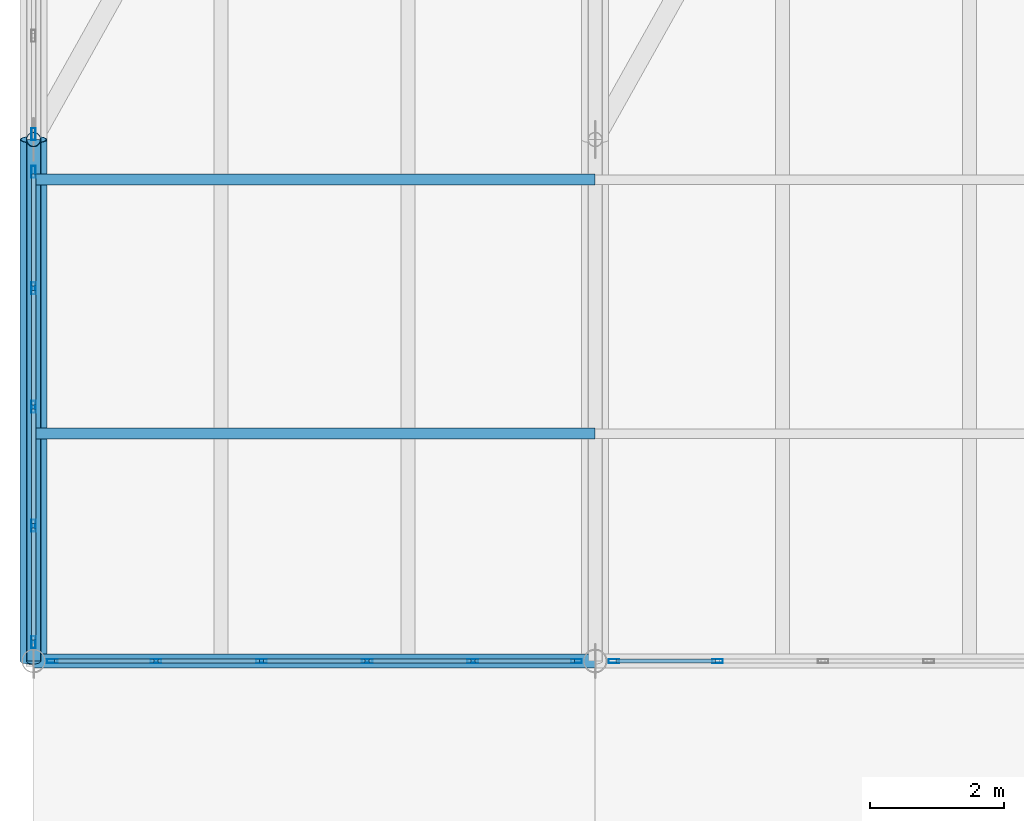
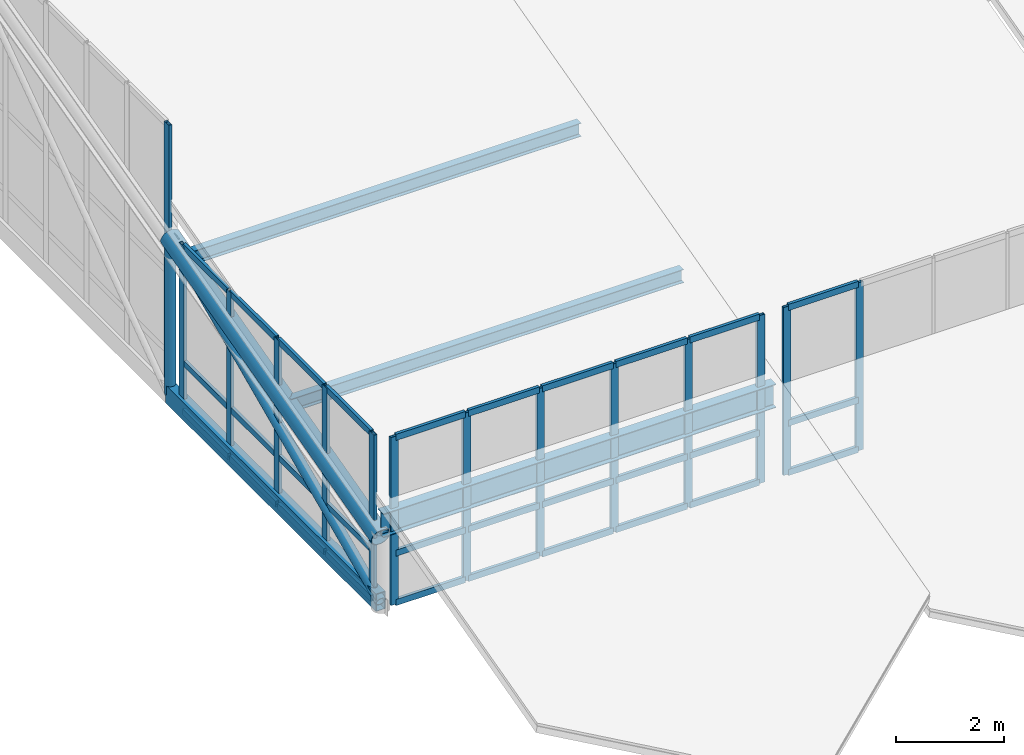
# One storey, part 3 of 43: 50 members, 1 beam, 4 elements without a shape of their own.
"""IFC4 building model written with IfcOpenShell, lengths in metres."""

from ifc_helpers import new_model, si_unit, direction, frame, origin, origin_2d, place, context, subcontext, project, spatial, hollow_rectangle, hollow_circle, i_section, extrude, material, layer, layer_set, material_profile, profile_set, type_object, element, aggregate, save


model = new_model("IFC4")

# Units and contexts
model_context = context("Model", 3, precision=1e-05, world=origin(), true_north=direction((0.0, 1.0)))
body_context = subcontext(model_context, "Body", "Model", "MODEL_VIEW")
ifc_project = project(units=[si_unit("LENGTHUNIT", "METRE"), si_unit("AREAUNIT", "SQUARE_METRE"), si_unit("VOLUMEUNIT", "CUBIC_METRE"), si_unit("PLANEANGLEUNIT", "RADIAN"), si_unit("MASSUNIT", "GRAM", prefix="KILO")], contexts=[model_context])

# Site, building, storey
site_placement = place(None, origin())
site = spatial("IfcSite", under=ifc_project, at=site_placement, CompositionType="ELEMENT")
building_placement = place(site_placement, origin())
building = spatial("IfcBuilding", under=site, at=building_placement, Name="Selat Folded Stagehouse", CompositionType="ELEMENT")
storey_placement = place(building_placement, frame((0.0, 0.0, 32.39990234375)))
storey = spatial("IfcBuildingStorey", under=building, at=storey_placement, Name="RF", CompositionType="ELEMENT", Elevation=32.39990234375)

# Beam
ifc_material_1 = material(Name="Steel S355", Category="steel")
ifc_material_profile_1 = material_profile(ifc_material_1, i_section(OverallWidth=0.209228515625, OverallDepth=0.533203125, WebThickness=0.010009765625, FlangeThickness=0.015625, FilletRadius=0.0126953125, at=origin_2d()), Name="UKB 533x210x92")
ifc_profile_set_1 = profile_set([ifc_material_profile_1], Name="Steel S355")
beam_type = type_object("IfcBeamType", Name="BM-GIRD-533x210x92", PredefinedType="BEAM", material=ifc_profile_set_1)
beam_placement = place(storey_placement, frame((8.39990234375, 23.39990234375, 1.9208984375), z_axis=(1.0, 0.0, 0.0), x_axis=(0.0, 1.0, 0.0)))
element("IfcBeam", 1, at=beam_placement, inside=storey, type_object=beam_type, Name="RF bay 1 S roof bearer beam", PredefinedType="BEAM", context=body_context, shape_type="SweptSolid", body=[
    extrude(i_section(OverallWidth=0.209228515625, OverallDepth=0.533203125, WebThickness=0.010009765625, FlangeThickness=0.015625, FilletRadius=0.0126953125, at=origin_2d()), origin(), (0.0, 0.0, 1.0), 8.400146484375),
])

# Curtain wall, members
ifc_material_2 = material(Name="Aluminium 6063-T6", Category="aluminium")
ifc_layer = layer(ifc_material_2, 0.169921875)
ifc_layer_set = layer_set([ifc_layer], Name="Aluminium 6063-T6")
curtain_wall_type = type_object("IfcCurtainWallType", Name="CW-CRN-CLER", PredefinedType="NOTDEFINED", material=ifc_layer_set)
curtain_wall_1_placement = place(storey_placement, origin())
curtain_wall_1 = element("IfcCurtainWall", 2, at=curtain_wall_1_placement, inside=storey, type_object=curtain_wall_type, Name="RF curtain wall CW-RF-S-00", PredefinedType="NOTDEFINED")
ifc_material_profile_2 = material_profile(ifc_material_2, hollow_rectangle(XDim=0.06005859375, YDim=0.159912109375, WallThickness=0.00390625, at=origin_2d()), Name="ALU 160x60x4.0")
ifc_profile_set_2 = profile_set([ifc_material_profile_2], Name="Aluminium 6063-T6")
member_type_1 = type_object("IfcMemberType", Name="CWM-MUL-160x60", PredefinedType="MULLION", material=ifc_profile_set_2)
member_1_placement = place(storey_placement, frame((16.52001953125, 23.39990234375, 0.0), z_axis=(0.0, 0.0, 1.0), x_axis=(0.0, -1.0, 0.0)))
member_1 = element("IfcMember", 3, at=member_1_placement, type_object=member_type_1, Name="CW-09 mullion 1", PredefinedType="MULLION", context=body_context, shape_type="SweptSolid", body=[
    extrude(hollow_rectangle(XDim=0.06005859375, YDim=0.159912109375, WallThickness=0.00390625, at=origin_2d()), origin(), (0.0, 0.0, 1.0), 3.800048828125),
])
member_2_placement = place(storey_placement, frame((14.969970703125, 23.39990234375, 0.0), z_axis=(0.0, 0.0, 1.0), x_axis=(0.0, -1.0, 0.0)))
member_2 = element("IfcMember", 4, at=member_2_placement, type_object=member_type_1, Name="CW-09 mullion 2", PredefinedType="MULLION", context=body_context, shape_type="SweptSolid", body=[
    extrude(hollow_rectangle(XDim=0.06005859375, YDim=0.159912109375, WallThickness=0.00390625, at=origin_2d()), origin(), (0.0, 0.0, 1.0), 3.800048828125),
])
member_3_placement = place(storey_placement, frame((13.389892578125, 23.39990234375, 0.0), z_axis=(0.0, 0.0, 1.0), x_axis=(0.0, -1.0, 0.0)))
member_3 = element("IfcMember", 5, at=member_3_placement, type_object=member_type_1, Name="CW-09 mullion 3", PredefinedType="MULLION", context=body_context, shape_type="SweptSolid", body=[
    extrude(hollow_rectangle(XDim=0.06005859375, YDim=0.159912109375, WallThickness=0.00390625, at=origin_2d()), origin(), (0.0, 0.0, 1.0), 3.800048828125),
])
member_4_placement = place(storey_placement, frame((11.81005859375, 23.39990234375, 0.0), z_axis=(0.0, 0.0, 1.0), x_axis=(0.0, -1.0, 0.0)))
member_4 = element("IfcMember", 6, at=member_4_placement, type_object=member_type_1, Name="CW-09 mullion 4", PredefinedType="MULLION", context=body_context, shape_type="SweptSolid", body=[
    extrude(hollow_rectangle(XDim=0.06005859375, YDim=0.159912109375, WallThickness=0.00390625, at=origin_2d()), origin(), (0.0, 0.0, 1.0), 3.800048828125),
])
member_5_placement = place(storey_placement, frame((10.22998046875, 23.39990234375, 0.0), z_axis=(0.0, 0.0, 1.0), x_axis=(0.0, -1.0, 0.0)))
member_5 = element("IfcMember", 7, at=member_5_placement, type_object=member_type_1, Name="CW-09 mullion 5", PredefinedType="MULLION", context=body_context, shape_type="SweptSolid", body=[
    extrude(hollow_rectangle(XDim=0.06005859375, YDim=0.159912109375, WallThickness=0.00390625, at=origin_2d()), origin(), (0.0, 0.0, 1.0), 3.800048828125),
])
member_6_placement = place(storey_placement, frame((8.679931640625, 23.39990234375, 0.0), z_axis=(0.0, 0.0, 1.0), x_axis=(0.0, -1.0, 0.0)))
member_6 = element("IfcMember", 8, at=member_6_placement, type_object=member_type_1, Name="CW-09 mullion 6", PredefinedType="MULLION", context=body_context, shape_type="SweptSolid", body=[
    extrude(hollow_rectangle(XDim=0.06005859375, YDim=0.159912109375, WallThickness=0.00390625, at=origin_2d()), origin(), (0.0, 0.0, 1.0), 3.800048828125),
])

curtain_wall_2_placement = place(storey_placement, origin())
curtain_wall_2 = element("IfcCurtainWall", 9, at=curtain_wall_2_placement, inside=storey, type_object=curtain_wall_type, Name="RF curtain wall CW-RF-S-01", PredefinedType="NOTDEFINED")
member_7_placement = place(storey_placement, frame((18.6298828125, 23.39990234375, 0.0), z_axis=(0.0, 0.0, 1.0), x_axis=(0.0, -1.0, 0.0)))
member_7 = element("IfcMember", 10, at=member_7_placement, type_object=member_type_1, Name="CW-09 mullion 5", PredefinedType="MULLION", context=body_context, shape_type="SweptSolid", body=[
    extrude(hollow_rectangle(XDim=0.06005859375, YDim=0.159912109375, WallThickness=0.00390625, at=origin_2d()), origin(), (0.0, 0.0, 1.0), 3.800048828125),
])
member_8_placement = place(storey_placement, frame((17.080078125, 23.39990234375, 0.0), z_axis=(0.0, 0.0, 1.0), x_axis=(0.0, -1.0, 0.0)))
member_8 = element("IfcMember", 11, at=member_8_placement, type_object=member_type_1, Name="CW-09 mullion 6", PredefinedType="MULLION", context=body_context, shape_type="SweptSolid", body=[
    extrude(hollow_rectangle(XDim=0.06005859375, YDim=0.159912109375, WallThickness=0.00390625, at=origin_2d()), origin(), (0.0, 0.0, 1.0), 3.800048828125),
])

curtain_wall_3_placement = place(storey_placement, origin())
curtain_wall_3 = element("IfcCurtainWall", 12, at=curtain_wall_3_placement, inside=storey, type_object=curtain_wall_type, Name="RF curtain wall CW-RF-W-00", PredefinedType="NOTDEFINED")
ifc_material_profile_3 = material_profile(ifc_material_2, hollow_rectangle(XDim=0.06494140625, YDim=0.179931640625, WallThickness=0.00390625, at=origin_2d()), Name="ALU 180x65x4.0")
ifc_profile_set_3 = profile_set([ifc_material_profile_3], Name="Aluminium 6063-T6")
member_type_2 = type_object("IfcMemberType", Name="CWM-MUL-180x65", PredefinedType="MULLION", material=ifc_profile_set_3)
member_9_placement = place(storey_placement, frame((8.39990234375, 23.6826171875, 0.0), z_axis=(0.0, 0.0, 1.0), x_axis=(-1.0, 0.0, 0.0)))
member_9 = element("IfcMember", 13, at=member_9_placement, type_object=member_type_2, Name="CW-09 mullion 1", PredefinedType="MULLION", context=body_context, shape_type="SweptSolid", body=[
    extrude(hollow_rectangle(XDim=0.06494140625, YDim=0.179931640625, WallThickness=0.00390625, at=origin_2d()), origin(), (0.0, 0.0, 1.0), 3.800048828125),
])
member_10_placement = place(storey_placement, frame((8.39990234375, 25.425048828125, 0.0), z_axis=(0.0, 0.0, 1.0), x_axis=(-1.0, 0.0, 0.0)))
member_10 = element("IfcMember", 14, at=member_10_placement, type_object=member_type_2, Name="CW-09 mullion 2", PredefinedType="MULLION", context=body_context, shape_type="SweptSolid", body=[
    extrude(hollow_rectangle(XDim=0.06494140625, YDim=0.179931640625, WallThickness=0.00390625, at=origin_2d()), origin(), (0.0, 0.0, 1.0), 3.800048828125),
])
member_11_placement = place(storey_placement, frame((8.39990234375, 27.199951171875, 0.0), z_axis=(0.0, 0.0, 1.0), x_axis=(-1.0, 0.0, 0.0)))
member_11 = element("IfcMember", 15, at=member_11_placement, type_object=member_type_2, Name="CW-09 mullion 3", PredefinedType="MULLION", context=body_context, shape_type="SweptSolid", body=[
    extrude(hollow_rectangle(XDim=0.06494140625, YDim=0.179931640625, WallThickness=0.00390625, at=origin_2d()), origin(), (0.0, 0.0, 1.0), 3.800048828125),
])
member_12_placement = place(storey_placement, frame((8.39990234375, 28.97509765625, 0.0), z_axis=(0.0, 0.0, 1.0), x_axis=(-1.0, 0.0, 0.0)))
member_12 = element("IfcMember", 16, at=member_12_placement, type_object=member_type_2, Name="CW-09 mullion 4", PredefinedType="MULLION", context=body_context, shape_type="SweptSolid", body=[
    extrude(hollow_rectangle(XDim=0.06494140625, YDim=0.179931640625, WallThickness=0.00390625, at=origin_2d()), origin(), (0.0, 0.0, 1.0), 3.800048828125),
])
member_13_placement = place(storey_placement, frame((8.39990234375, 30.717529296875, 0.0), z_axis=(0.0, 0.0, 1.0), x_axis=(-1.0, 0.0, 0.0)))
member_13 = element("IfcMember", 17, at=member_13_placement, type_object=member_type_2, Name="CW-09 mullion 5", PredefinedType="MULLION", context=body_context, shape_type="SweptSolid", body=[
    extrude(hollow_rectangle(XDim=0.06494140625, YDim=0.179931640625, WallThickness=0.00390625, at=origin_2d()), origin(), (0.0, 0.0, 1.0), 3.800048828125),
])

# Curtain wall, member
curtain_wall_4_placement = place(storey_placement, origin())
curtain_wall_4 = element("IfcCurtainWall", 18, at=curtain_wall_4_placement, inside=storey, type_object=curtain_wall_type, Name="RF curtain wall CW-RF-W-01", PredefinedType="NOTDEFINED")
member_14_placement = place(storey_placement, frame((8.39990234375, 31.282470703125, 0.0), z_axis=(0.0, 0.0, 1.0), x_axis=(-1.0, 0.0, 0.0)))
member_14 = element("IfcMember", 19, at=member_14_placement, type_object=member_type_2, Name="CW-09 mullion 1", PredefinedType="MULLION", context=body_context, shape_type="SweptSolid", body=[
    extrude(hollow_rectangle(XDim=0.06494140625, YDim=0.179931640625, WallThickness=0.00390625, at=origin_2d()), origin(), (0.0, 0.0, 1.0), 6.2001953125),
])
aggregate(curtain_wall_4, [member_14])

# Member
ifc_material_profile_4 = material_profile(ifc_material_2, hollow_rectangle(XDim=0.06494140625, YDim=0.139892578125, WallThickness=0.00390625, at=origin_2d()), Name="ALU 140x65x4.0")
ifc_profile_set_4 = profile_set([ifc_material_profile_4], Name="Aluminium 6063-T6")
member_type_3 = type_object("IfcMemberType", Name="CWM-TRN-140x65", PredefinedType="USERDEFINED", material=ifc_profile_set_4)
member_15_placement = place(storey_placement, frame((16.489990234375, 23.39990234375, 0.03271484375), z_axis=(-1.0, 0.0, 0.0), x_axis=(0.0, -1.0, 0.0)))
member_15 = element("IfcMember", 20, at=member_15_placement, type_object=member_type_3, Name="CW-09 transom 1.1", ObjectType="TRANSOM", PredefinedType="USERDEFINED", context=body_context, shape_type="SweptSolid", body=[
    extrude(hollow_rectangle(XDim=0.06494140625, YDim=0.139892578125, WallThickness=0.00390625, at=origin_2d()), origin(), (0.0, 0.0, 1.0), 1.489990234375),
])

member_16_placement = place(storey_placement, frame((16.489990234375, 23.39990234375, 1.150146484375), z_axis=(-1.0, 0.0, 0.0), x_axis=(0.0, -1.0, 0.0)))
member_16 = element("IfcMember", 21, at=member_16_placement, type_object=member_type_3, Name="CW-09 transom 1.2", ObjectType="TRANSOM", PredefinedType="USERDEFINED", context=body_context, shape_type="SweptSolid", body=[
    extrude(hollow_rectangle(XDim=0.06494140625, YDim=0.139892578125, WallThickness=0.00390625, at=origin_2d()), origin(), (0.0, 0.0, 1.0), 1.489990234375),
])

member_17_placement = place(storey_placement, frame((16.489990234375, 23.39990234375, 3.767578125), z_axis=(-1.0, 0.0, 0.0), x_axis=(0.0, -1.0, 0.0)))
member_17 = element("IfcMember", 22, at=member_17_placement, type_object=member_type_3, Name="CW-09 transom 1.3", ObjectType="TRANSOM", PredefinedType="USERDEFINED", context=body_context, shape_type="SweptSolid", body=[
    extrude(hollow_rectangle(XDim=0.06494140625, YDim=0.139892578125, WallThickness=0.00390625, at=origin_2d()), origin(), (0.0, 0.0, 1.0), 1.489990234375),
])

member_18_placement = place(storey_placement, frame((14.93994140625, 23.39990234375, 0.03271484375), z_axis=(-1.0, 0.0, 0.0), x_axis=(0.0, -1.0, 0.0)))
member_18 = element("IfcMember", 23, at=member_18_placement, type_object=member_type_3, Name="CW-09 transom 2.1", ObjectType="TRANSOM", PredefinedType="USERDEFINED", context=body_context, shape_type="SweptSolid", body=[
    extrude(hollow_rectangle(XDim=0.06494140625, YDim=0.139892578125, WallThickness=0.00390625, at=origin_2d()), origin(), (0.0, 0.0, 1.0), 1.52001953125),
])

member_19_placement = place(storey_placement, frame((14.93994140625, 23.39990234375, 1.150146484375), z_axis=(-1.0, 0.0, 0.0), x_axis=(0.0, -1.0, 0.0)))
member_19 = element("IfcMember", 24, at=member_19_placement, type_object=member_type_3, Name="CW-09 transom 2.2", ObjectType="TRANSOM", PredefinedType="USERDEFINED", context=body_context, shape_type="SweptSolid", body=[
    extrude(hollow_rectangle(XDim=0.06494140625, YDim=0.139892578125, WallThickness=0.00390625, at=origin_2d()), origin(), (0.0, 0.0, 1.0), 1.52001953125),
])

member_20_placement = place(storey_placement, frame((14.93994140625, 23.39990234375, 3.767578125), z_axis=(-1.0, 0.0, 0.0), x_axis=(0.0, -1.0, 0.0)))
member_20 = element("IfcMember", 25, at=member_20_placement, type_object=member_type_3, Name="CW-09 transom 2.3", ObjectType="TRANSOM", PredefinedType="USERDEFINED", context=body_context, shape_type="SweptSolid", body=[
    extrude(hollow_rectangle(XDim=0.06494140625, YDim=0.139892578125, WallThickness=0.00390625, at=origin_2d()), origin(), (0.0, 0.0, 1.0), 1.52001953125),
])

member_21_placement = place(storey_placement, frame((13.360107421875, 23.39990234375, 0.03271484375), z_axis=(-1.0, 0.0, 0.0), x_axis=(0.0, -1.0, 0.0)))
member_21 = element("IfcMember", 26, at=member_21_placement, type_object=member_type_3, Name="CW-09 transom 3.1", ObjectType="TRANSOM", PredefinedType="USERDEFINED", context=body_context, shape_type="SweptSolid", body=[
    extrude(hollow_rectangle(XDim=0.06494140625, YDim=0.139892578125, WallThickness=0.00390625, at=origin_2d()), origin(), (0.0, 0.0, 1.0), 1.52001953125),
])

member_22_placement = place(storey_placement, frame((13.360107421875, 23.39990234375, 1.150146484375), z_axis=(-1.0, 0.0, 0.0), x_axis=(0.0, -1.0, 0.0)))
member_22 = element("IfcMember", 27, at=member_22_placement, type_object=member_type_3, Name="CW-09 transom 3.2", ObjectType="TRANSOM", PredefinedType="USERDEFINED", context=body_context, shape_type="SweptSolid", body=[
    extrude(hollow_rectangle(XDim=0.06494140625, YDim=0.139892578125, WallThickness=0.00390625, at=origin_2d()), origin(), (0.0, 0.0, 1.0), 1.52001953125),
])

member_23_placement = place(storey_placement, frame((13.360107421875, 23.39990234375, 3.767578125), z_axis=(-1.0, 0.0, 0.0), x_axis=(0.0, -1.0, 0.0)))
member_23 = element("IfcMember", 28, at=member_23_placement, type_object=member_type_3, Name="CW-09 transom 3.3", ObjectType="TRANSOM", PredefinedType="USERDEFINED", context=body_context, shape_type="SweptSolid", body=[
    extrude(hollow_rectangle(XDim=0.06494140625, YDim=0.139892578125, WallThickness=0.00390625, at=origin_2d()), origin(), (0.0, 0.0, 1.0), 1.52001953125),
])

member_24_placement = place(storey_placement, frame((11.780029296875, 23.39990234375, 0.03271484375), z_axis=(-1.0, 0.0, 0.0), x_axis=(0.0, -1.0, 0.0)))
member_24 = element("IfcMember", 29, at=member_24_placement, type_object=member_type_3, Name="CW-09 transom 4.1", ObjectType="TRANSOM", PredefinedType="USERDEFINED", context=body_context, shape_type="SweptSolid", body=[
    extrude(hollow_rectangle(XDim=0.06494140625, YDim=0.139892578125, WallThickness=0.00390625, at=origin_2d()), origin(), (0.0, 0.0, 1.0), 1.52001953125),
])

member_25_placement = place(storey_placement, frame((11.780029296875, 23.39990234375, 1.150146484375), z_axis=(-1.0, 0.0, 0.0), x_axis=(0.0, -1.0, 0.0)))
member_25 = element("IfcMember", 30, at=member_25_placement, type_object=member_type_3, Name="CW-09 transom 4.2", ObjectType="TRANSOM", PredefinedType="USERDEFINED", context=body_context, shape_type="SweptSolid", body=[
    extrude(hollow_rectangle(XDim=0.06494140625, YDim=0.139892578125, WallThickness=0.00390625, at=origin_2d()), origin(), (0.0, 0.0, 1.0), 1.52001953125),
])

member_26_placement = place(storey_placement, frame((11.780029296875, 23.39990234375, 3.767578125), z_axis=(-1.0, 0.0, 0.0), x_axis=(0.0, -1.0, 0.0)))
member_26 = element("IfcMember", 31, at=member_26_placement, type_object=member_type_3, Name="CW-09 transom 4.3", ObjectType="TRANSOM", PredefinedType="USERDEFINED", context=body_context, shape_type="SweptSolid", body=[
    extrude(hollow_rectangle(XDim=0.06494140625, YDim=0.139892578125, WallThickness=0.00390625, at=origin_2d()), origin(), (0.0, 0.0, 1.0), 1.52001953125),
])

member_27_placement = place(storey_placement, frame((10.199951171875, 23.39990234375, 0.03271484375), z_axis=(-1.0, 0.0, 0.0), x_axis=(0.0, -1.0, 0.0)))
member_27 = element("IfcMember", 32, at=member_27_placement, type_object=member_type_3, Name="CW-09 transom 5.1", ObjectType="TRANSOM", PredefinedType="USERDEFINED", context=body_context, shape_type="SweptSolid", body=[
    extrude(hollow_rectangle(XDim=0.06494140625, YDim=0.139892578125, WallThickness=0.00390625, at=origin_2d()), origin(), (0.0, 0.0, 1.0), 1.489990234375),
])

member_28_placement = place(storey_placement, frame((10.199951171875, 23.39990234375, 1.150146484375), z_axis=(-1.0, 0.0, 0.0), x_axis=(0.0, -1.0, 0.0)))
member_28 = element("IfcMember", 33, at=member_28_placement, type_object=member_type_3, Name="CW-09 transom 5.2", ObjectType="TRANSOM", PredefinedType="USERDEFINED", context=body_context, shape_type="SweptSolid", body=[
    extrude(hollow_rectangle(XDim=0.06494140625, YDim=0.139892578125, WallThickness=0.00390625, at=origin_2d()), origin(), (0.0, 0.0, 1.0), 1.489990234375),
])

member_29_placement = place(storey_placement, frame((10.199951171875, 23.39990234375, 3.767578125), z_axis=(-1.0, 0.0, 0.0), x_axis=(0.0, -1.0, 0.0)))
member_29 = element("IfcMember", 34, at=member_29_placement, type_object=member_type_3, Name="CW-09 transom 5.3", ObjectType="TRANSOM", PredefinedType="USERDEFINED", context=body_context, shape_type="SweptSolid", body=[
    extrude(hollow_rectangle(XDim=0.06494140625, YDim=0.139892578125, WallThickness=0.00390625, at=origin_2d()), origin(), (0.0, 0.0, 1.0), 1.489990234375),
])

aggregate(curtain_wall_1, [member_1, member_2, member_3, member_4, member_5, member_6, member_15, member_16, member_17, member_18, member_19, member_20, member_21, member_22, member_23, member_24, member_25, member_26, member_27, member_28, member_29])

member_30_placement = place(storey_placement, frame((18.60009765625, 23.39990234375, 0.03271484375), z_axis=(-1.0, 0.0, 0.0), x_axis=(0.0, -1.0, 0.0)))
member_30 = element("IfcMember", 35, at=member_30_placement, type_object=member_type_3, Name="CW-09 transom 5.1", ObjectType="TRANSOM", PredefinedType="USERDEFINED", context=body_context, shape_type="SweptSolid", body=[
    extrude(hollow_rectangle(XDim=0.06494140625, YDim=0.139892578125, WallThickness=0.00390625, at=origin_2d()), origin(), (0.0, 0.0, 1.0), 1.489990234375),
])

member_31_placement = place(storey_placement, frame((18.60009765625, 23.39990234375, 1.150146484375), z_axis=(-1.0, 0.0, 0.0), x_axis=(0.0, -1.0, 0.0)))
member_31 = element("IfcMember", 36, at=member_31_placement, type_object=member_type_3, Name="CW-09 transom 5.2", ObjectType="TRANSOM", PredefinedType="USERDEFINED", context=body_context, shape_type="SweptSolid", body=[
    extrude(hollow_rectangle(XDim=0.06494140625, YDim=0.139892578125, WallThickness=0.00390625, at=origin_2d()), origin(), (0.0, 0.0, 1.0), 1.489990234375),
])

member_32_placement = place(storey_placement, frame((18.60009765625, 23.39990234375, 3.767578125), z_axis=(-1.0, 0.0, 0.0), x_axis=(0.0, -1.0, 0.0)))
member_32 = element("IfcMember", 37, at=member_32_placement, type_object=member_type_3, Name="CW-09 transom 5.3", ObjectType="TRANSOM", PredefinedType="USERDEFINED", context=body_context, shape_type="SweptSolid", body=[
    extrude(hollow_rectangle(XDim=0.06494140625, YDim=0.139892578125, WallThickness=0.00390625, at=origin_2d()), origin(), (0.0, 0.0, 1.0), 1.489990234375),
])

aggregate(curtain_wall_2, [member_7, member_8, member_30, member_31, member_32])

member_33_placement = place(storey_placement, frame((8.39990234375, 23.715087890625, 0.03271484375), z_axis=(0.0, 1.0, 0.0), x_axis=(-1.0, 0.0, 0.0)))
member_33 = element("IfcMember", 38, at=member_33_placement, type_object=member_type_3, Name="CW-09 transom 1.1", ObjectType="TRANSOM", PredefinedType="USERDEFINED", context=body_context, shape_type="SweptSolid", body=[
    extrude(hollow_rectangle(XDim=0.06494140625, YDim=0.139892578125, WallThickness=0.00390625, at=origin_2d()), origin(), (0.0, 0.0, 1.0), 1.677490234375),
])

member_34_placement = place(storey_placement, frame((8.39990234375, 23.715087890625, 1.150146484375), z_axis=(0.0, 1.0, 0.0), x_axis=(-1.0, 0.0, 0.0)))
member_34 = element("IfcMember", 39, at=member_34_placement, type_object=member_type_3, Name="CW-09 transom 1.2", ObjectType="TRANSOM", PredefinedType="USERDEFINED", context=body_context, shape_type="SweptSolid", body=[
    extrude(hollow_rectangle(XDim=0.06494140625, YDim=0.139892578125, WallThickness=0.00390625, at=origin_2d()), origin(), (0.0, 0.0, 1.0), 1.677490234375),
])

member_35_placement = place(storey_placement, frame((8.39990234375, 23.715087890625, 3.767578125), z_axis=(0.0, 1.0, 0.0), x_axis=(-1.0, 0.0, 0.0)))
member_35 = element("IfcMember", 40, at=member_35_placement, type_object=member_type_3, Name="CW-09 transom 1.3", ObjectType="TRANSOM", PredefinedType="USERDEFINED", context=body_context, shape_type="SweptSolid", body=[
    extrude(hollow_rectangle(XDim=0.06494140625, YDim=0.139892578125, WallThickness=0.00390625, at=origin_2d()), origin(), (0.0, 0.0, 1.0), 1.677490234375),
])

member_36_placement = place(storey_placement, frame((8.39990234375, 25.45751953125, 0.03271484375), z_axis=(0.0, 1.0, 0.0), x_axis=(-1.0, 0.0, 0.0)))
member_36 = element("IfcMember", 41, at=member_36_placement, type_object=member_type_3, Name="CW-09 transom 2.1", ObjectType="TRANSOM", PredefinedType="USERDEFINED", context=body_context, shape_type="SweptSolid", body=[
    extrude(hollow_rectangle(XDim=0.06494140625, YDim=0.139892578125, WallThickness=0.00390625, at=origin_2d()), origin(), (0.0, 0.0, 1.0), 1.7099609375),
])

member_37_placement = place(storey_placement, frame((8.39990234375, 25.45751953125, 1.150146484375), z_axis=(0.0, 1.0, 0.0), x_axis=(-1.0, 0.0, 0.0)))
member_37 = element("IfcMember", 42, at=member_37_placement, type_object=member_type_3, Name="CW-09 transom 2.2", ObjectType="TRANSOM", PredefinedType="USERDEFINED", context=body_context, shape_type="SweptSolid", body=[
    extrude(hollow_rectangle(XDim=0.06494140625, YDim=0.139892578125, WallThickness=0.00390625, at=origin_2d()), origin(), (0.0, 0.0, 1.0), 1.7099609375),
])

member_38_placement = place(storey_placement, frame((8.39990234375, 25.45751953125, 3.767578125), z_axis=(0.0, 1.0, 0.0), x_axis=(-1.0, 0.0, 0.0)))
member_38 = element("IfcMember", 43, at=member_38_placement, type_object=member_type_3, Name="CW-09 transom 2.3", ObjectType="TRANSOM", PredefinedType="USERDEFINED", context=body_context, shape_type="SweptSolid", body=[
    extrude(hollow_rectangle(XDim=0.06494140625, YDim=0.139892578125, WallThickness=0.00390625, at=origin_2d()), origin(), (0.0, 0.0, 1.0), 1.7099609375),
])

member_39_placement = place(storey_placement, frame((8.39990234375, 27.232421875, 0.03271484375), z_axis=(0.0, 1.0, 0.0), x_axis=(-1.0, 0.0, 0.0)))
member_39 = element("IfcMember", 44, at=member_39_placement, type_object=member_type_3, Name="CW-09 transom 3.1", ObjectType="TRANSOM", PredefinedType="USERDEFINED", context=body_context, shape_type="SweptSolid", body=[
    extrude(hollow_rectangle(XDim=0.06494140625, YDim=0.139892578125, WallThickness=0.00390625, at=origin_2d()), origin(), (0.0, 0.0, 1.0), 1.7099609375),
])

member_40_placement = place(storey_placement, frame((8.39990234375, 27.232421875, 1.150146484375), z_axis=(0.0, 1.0, 0.0), x_axis=(-1.0, 0.0, 0.0)))
member_40 = element("IfcMember", 45, at=member_40_placement, type_object=member_type_3, Name="CW-09 transom 3.2", ObjectType="TRANSOM", PredefinedType="USERDEFINED", context=body_context, shape_type="SweptSolid", body=[
    extrude(hollow_rectangle(XDim=0.06494140625, YDim=0.139892578125, WallThickness=0.00390625, at=origin_2d()), origin(), (0.0, 0.0, 1.0), 1.7099609375),
])

member_41_placement = place(storey_placement, frame((8.39990234375, 27.232421875, 3.767578125), z_axis=(0.0, 1.0, 0.0), x_axis=(-1.0, 0.0, 0.0)))
member_41 = element("IfcMember", 46, at=member_41_placement, type_object=member_type_3, Name="CW-09 transom 3.3", ObjectType="TRANSOM", PredefinedType="USERDEFINED", context=body_context, shape_type="SweptSolid", body=[
    extrude(hollow_rectangle(XDim=0.06494140625, YDim=0.139892578125, WallThickness=0.00390625, at=origin_2d()), origin(), (0.0, 0.0, 1.0), 1.7099609375),
])

member_42_placement = place(storey_placement, frame((8.39990234375, 29.007568359375, 0.03271484375), z_axis=(0.0, 1.0, 0.0), x_axis=(-1.0, 0.0, 0.0)))
member_42 = element("IfcMember", 47, at=member_42_placement, type_object=member_type_3, Name="CW-09 transom 4.1", ObjectType="TRANSOM", PredefinedType="USERDEFINED", context=body_context, shape_type="SweptSolid", body=[
    extrude(hollow_rectangle(XDim=0.06494140625, YDim=0.139892578125, WallThickness=0.00390625, at=origin_2d()), origin(), (0.0, 0.0, 1.0), 1.677490234375),
])

member_43_placement = place(storey_placement, frame((8.39990234375, 29.007568359375, 1.150146484375), z_axis=(0.0, 1.0, 0.0), x_axis=(-1.0, 0.0, 0.0)))
member_43 = element("IfcMember", 48, at=member_43_placement, type_object=member_type_3, Name="CW-09 transom 4.2", ObjectType="TRANSOM", PredefinedType="USERDEFINED", context=body_context, shape_type="SweptSolid", body=[
    extrude(hollow_rectangle(XDim=0.06494140625, YDim=0.139892578125, WallThickness=0.00390625, at=origin_2d()), origin(), (0.0, 0.0, 1.0), 1.677490234375),
])

member_44_placement = place(storey_placement, frame((8.39990234375, 29.007568359375, 3.767578125), z_axis=(0.0, 1.0, 0.0), x_axis=(-1.0, 0.0, 0.0)))
member_44 = element("IfcMember", 49, at=member_44_placement, type_object=member_type_3, Name="CW-09 transom 4.3", ObjectType="TRANSOM", PredefinedType="USERDEFINED", context=body_context, shape_type="SweptSolid", body=[
    extrude(hollow_rectangle(XDim=0.06494140625, YDim=0.139892578125, WallThickness=0.00390625, at=origin_2d()), origin(), (0.0, 0.0, 1.0), 1.677490234375),
])

aggregate(curtain_wall_3, [member_9, member_10, member_11, member_12, member_13, member_33, member_34, member_35, member_36, member_37, member_38, member_39, member_40, member_41, member_42, member_43, member_44])

# Members
ifc_material_profile_5 = material_profile(ifc_material_1, hollow_circle(Radius=0.109619140625, WallThickness=0.010009765625, at=origin_2d()), Name="CHS 219.1x10.0")
ifc_profile_set_5 = profile_set([ifc_material_profile_5], Name="Steel S355")
member_type_4 = type_object("IfcMemberType", Name="MEM-BRACE-CHS219", PredefinedType="BRACE", material=ifc_profile_set_5)
member_45_placement = place(storey_placement, frame((8.39990234375, 23.39990234375, 0.150146484375), z_axis=(0.0, 0.91168696029, 0.410885490664), x_axis=(-1.0, 0.0, 0.0)))
element("IfcMember", 50, at=member_45_placement, inside=storey, type_object=member_type_4, Name="Folded-plate web diagonal 1.1", PredefinedType="BRACE", context=body_context, shape_type="SweptSolid", body=[
    extrude(hollow_circle(Radius=0.109619140625, WallThickness=0.010009765625, at=origin_2d()), origin(), (0.0, 0.0, 1.0), 8.5556640625),
])
ifc_material_profile_6 = material_profile(ifc_material_1, hollow_circle(Radius=0.203125, WallThickness=0.01611328125, at=origin_2d()), Name="CHS 406.4x16.0")
ifc_profile_set_6 = profile_set([ifc_material_profile_6], Name="Steel S355")
member_type_5 = type_object("IfcMemberType", Name="MEM-CHORD-CHS406", PredefinedType="CHORD", material=ifc_profile_set_6)
member_46_placement = place(storey_placement, frame((8.39990234375, 23.39990234375, 1.605224609375), z_axis=(0.0, 0.966840500881, 0.255380981781), x_axis=(-1.0, 0.0, 0.0)))
element("IfcMember", 51, at=member_46_placement, inside=storey, type_object=member_type_5, Name="Folded-plate top chord 1.1", PredefinedType="CHORD", context=body_context, shape_type="SweptSolid", body=[
    extrude(hollow_circle(Radius=0.203125, WallThickness=0.01611328125, at=origin_2d()), origin(), (0.0, 0.0, 1.0), 8.067626953125),
])
ifc_material_profile_7 = material_profile(ifc_material_1, hollow_rectangle(XDim=0.199951171875, YDim=0.39990234375, WallThickness=0.012451171875, at=origin_2d()), Name="RHS 400x200x12.5")
ifc_profile_set_7 = profile_set([ifc_material_profile_7], Name="Steel S355")
member_type_6 = type_object("IfcMemberType", Name="MEM-CHORD-RHS400", PredefinedType="CHORD", material=ifc_profile_set_7)
member_47_placement = place(storey_placement, frame((8.39990234375, 23.39990234375, 0.150146484375), z_axis=(0.0, 1.0, 0.0), x_axis=(-1.0, 0.0, 0.0)))
element("IfcMember", 52, at=member_47_placement, inside=storey, type_object=member_type_6, Name="Folded-plate bottom tie 1.1", PredefinedType="CHORD", context=body_context, shape_type="SweptSolid", body=[
    extrude(hollow_rectangle(XDim=0.199951171875, YDim=0.39990234375, WallThickness=0.012451171875, at=origin_2d()), origin(), (0.0, 0.0, 1.0), 7.800048828125),
])
ifc_material_profile_8 = material_profile(ifc_material_1, hollow_circle(Radius=0.109619140625, WallThickness=0.010009765625, at=origin_2d()), Name="CHS 219.1x10.0")
ifc_profile_set_8 = profile_set([ifc_material_profile_8], Name="Steel S355")
member_type_7 = type_object("IfcMemberType", Name="MEM-POST-CHS219", PredefinedType="POST", material=ifc_profile_set_8)
member_48_placement = place(storey_placement, frame((8.39990234375, 31.199951171875, 0.150146484375), z_axis=(0.0, 0.0, 1.0), x_axis=(1.0, 0.0, 0.0)))
element("IfcMember", 53, at=member_48_placement, inside=storey, type_object=member_type_7, Name="Folded-plate truss post 1.1", PredefinedType="POST", context=body_context, shape_type="SweptSolid", body=[
    extrude(hollow_circle(Radius=0.109619140625, WallThickness=0.010009765625, at=origin_2d()), origin(), (0.0, 0.0, 1.0), 3.515380859375),
])
ifc_material_profile_9 = material_profile(ifc_material_1, i_section(OverallWidth=0.1650390625, OverallDepth=0.303466796875, WebThickness=0.006103515625, FlangeThickness=0.01025390625, FilletRadius=0.0087890625, at=origin_2d()), Name="UKB 305x165x40")
ifc_profile_set_9 = profile_set([ifc_material_profile_9], Name="Steel S355")
member_type_8 = type_object("IfcMemberType", Name="MEM-PURLIN-UKB305", PredefinedType="PURLIN", material=ifc_profile_set_9)
for number, where, z_axis, x_axis, name in (
    (54, (8.39990234375, 26.800048828125, 2.556640625), (1.0, 0.0, 0.0), (0.0, 1.0, 0.0), "Folded-plate roof purlin bay 1.1"),
    (55, (8.39990234375, 30.60009765625, 3.560302734375), (1.0, 0.0, 0.0), (0.0, 1.0, 0.0), "Folded-plate roof purlin bay 1.2"),
):
    element("IfcMember", number, at=place(storey_placement, frame(where, z_axis=z_axis, x_axis=x_axis)), inside=storey, type_object=member_type_8, Name=name, PredefinedType="PURLIN", context=body_context, shape_type="SweptSolid", body=[
        extrude(i_section(OverallWidth=0.1650390625, OverallDepth=0.303466796875, WebThickness=0.006103515625, FlangeThickness=0.01025390625, FilletRadius=0.0087890625, at=origin_2d()), origin(), (0.0, 0.0, 1.0), 8.400146484375),
    ])

save(model, "model.ifc")
